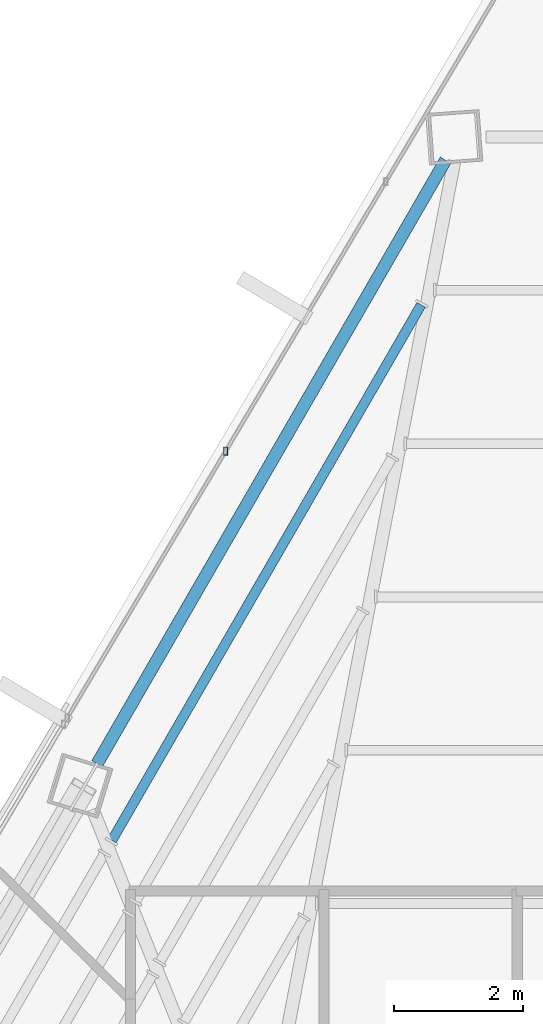
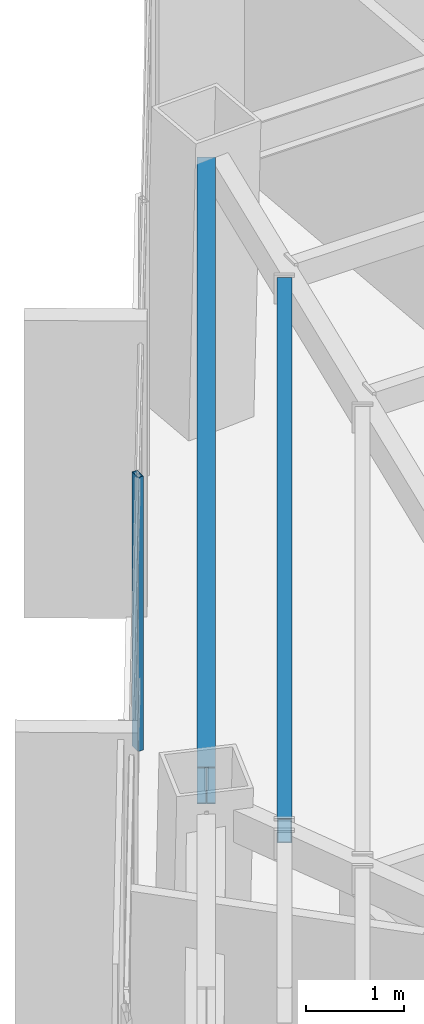
# One storey, part 31 of 49: 2 beams, 1 member, 1 element without a shape of its own.
"""IFC4 building model written with IfcOpenShell, lengths in metres."""

from ifc_helpers import new_model, si_unit, direction, frame, origin, origin_2d, place, context, subcontext, project, spatial, hollow_rectangle, i_section, extrude, source, transform, mapped, material, material_profile, profile_set, type_object, type_shapes, element, aggregate, save


model = new_model("IFC4")

# Units and contexts
model_context = context("Model", 3, precision=1e-05, world=origin(), true_north=direction((0.0, 1.0)))
body_context = subcontext(model_context, "Body", "Model", "MODEL_VIEW")
ifc_project = project(units=[si_unit("LENGTHUNIT", "METRE"), si_unit("AREAUNIT", "SQUARE_METRE"), si_unit("VOLUMEUNIT", "CUBIC_METRE"), si_unit("PLANEANGLEUNIT", "RADIAN"), si_unit("MASSUNIT", "GRAM", prefix="KILO")], contexts=[model_context])

# Site, building, storey
site_placement = place(None, origin())
site = spatial("IfcSite", under=ifc_project, at=site_placement, CompositionType="ELEMENT")
building_placement = place(site_placement, origin())
building = spatial("IfcBuilding", under=site, at=building_placement, Name="Caelisora Broadcast Tower", CompositionType="ELEMENT")
storey_placement = place(building_placement, frame((0.0, 0.0, 233.5)))
storey = spatial("IfcBuildingStorey", under=building, at=storey_placement, Name="L61", CompositionType="ELEMENT", Elevation=233.5)

# Beams
ifc_material_1 = material(Name="Steel Grade 350 (AS/NZS 3679.1)", Category="steel")
ifc_material_profile_1 = material_profile(ifc_material_1, i_section(OverallWidth=0.19091796875, OverallDepth=0.46044921875, WebThickness=0.010009765625, FlangeThickness=0.01611328125, at=origin_2d()), Name="Steel Grade 350 (AS/NZS 3679.1)")
ifc_profile_set_1 = profile_set([ifc_material_profile_1], Name="Steel Grade 350 (AS/NZS 3679.1)")
beam_type_1 = type_object("IfcBeamType", Name="PG06", PredefinedType="BEAM", material=ifc_profile_set_1)
shared_shape_1 = source(origin(), body_context, "Body", "SweptSolid", [
    extrude(i_section(OverallWidth=0.19091796875, OverallDepth=0.46044921875, WebThickness=0.010009765625, FlangeThickness=0.01611328125, at=origin_2d()), origin(), (0.0, 0.0, 1.0), 10.804443359375),
])
type_shapes(beam_type_1, [shared_shape_1])
beam_1_placement = place(storey_placement, frame((33.486083984375, 46.280517578125, 3.169921875), z_axis=(-0.499991078618, -0.866030554486, 0.0), x_axis=(0.866030554486, -0.499991078618, 0.0)))
element("IfcBeam", 1, at=beam_1_placement, inside=storey, type_object=beam_type_1, Name="L61 beam PG06", PredefinedType="BEAM", context=body_context, shape_type="MappedRepresentation", body=[
    mapped(shared_shape_1, transform((0.0, 0.0, 0.0), scale=1.0)),
])
ifc_material_2 = material(Name="Steel Grade 350 (AS/NZS 1163 C350L0)", Category="steel")
ifc_material_profile_2 = material_profile(ifc_material_2, hollow_rectangle(XDim=0.14990234375, YDim=0.300048828125, WallThickness=0.010009765625, at=origin_2d()), Name="Steel Grade 350 (AS/NZS 1163 C350L0)")
ifc_profile_set_2 = profile_set([ifc_material_profile_2], Name="Steel Grade 350 (AS/NZS 1163 C350L0)")
beam_type_2 = type_object("IfcBeamType", Name="SB05", PredefinedType="JOIST", material=ifc_profile_set_2)
shared_shape_2 = source(origin(), body_context, "Body", "SweptSolid", [
    extrude(hollow_rectangle(XDim=0.14990234375, YDim=0.300048828125, WallThickness=0.010009765625, at=origin_2d()), origin(), (0.0, 0.0, 1.0), 9.589599609375),
])
type_shapes(beam_type_2, [shared_shape_2])
beam_2_placement = place(storey_placement, frame((33.10791015625, 44.0380859375, 3.25), z_axis=(-0.500016292001, -0.866015997389, 0.0), x_axis=(0.866015997389, -0.500016292001, 0.0)))
element("IfcBeam", 2, at=beam_2_placement, inside=storey, type_object=beam_type_2, Name="L61 beam SB05", PredefinedType="JOIST", context=body_context, shape_type="MappedRepresentation", body=[
    mapped(shared_shape_2, transform((0.0, 0.0, 0.0), scale=1.0)),
])

# Curtain wall, member
ifc_material_3 = material(Name="Unitised Aluminium and Low-E Glass Curtain Wall", Category="glass")
curtain_wall_type = type_object("IfcCurtainWallType", Name="CW-Z5", PredefinedType="NOTDEFINED", material=ifc_material_3)
curtain_wall_placement = place(storey_placement, origin())
curtain_wall = element("IfcCurtainWall", 3, at=curtain_wall_placement, inside=storey, type_object=curtain_wall_type, Name="L61 curtain wall CW-Z5", PredefinedType="NOTDEFINED")
ifc_material_4 = material(Name="Aluminium 6063-T6 Anodised Terracotta Bronze", Category="aluminium")
ifc_material_profile_3 = material_profile(ifc_material_4, hollow_rectangle(XDim=0.06005859375, YDim=0.1201171875, WallThickness=0.0029296875, at=origin_2d()), Name="Aluminium 6063-T6 Anodised Terracotta Bronze")
ifc_profile_set_3 = profile_set([ifc_material_profile_3], Name="Aluminium 6063-T6 Anodised Terracotta Bronze")
member_type = type_object("IfcMemberType", Name="CWM-04", PredefinedType="MULLION", material=ifc_profile_set_3)
shared_shape_3 = source(origin(), body_context, "Body", "SweptSolid", [
    extrude(hollow_rectangle(XDim=0.06005859375, YDim=0.1201171875, WallThickness=0.0029296875, at=origin_2d()), origin(), (0.0, 0.0, 1.0), 3.39990234375),
])
type_shapes(member_type, [shared_shape_3])
member_placement = place(storey_placement, frame((30.077392578125, 41.769775390625, 0.0), z_axis=(0.0, 0.0, 1.0), x_axis=(1.0, 0.0, 0.0)))
member = element("IfcMember", 4, at=member_placement, type_object=member_type, Name="L61-CW-B11 mullion #1", PredefinedType="MULLION", context=body_context, shape_type="MappedRepresentation", body=[
    mapped(shared_shape_3, transform((0.0, 0.0, 0.0), scale=1.0)),
])
aggregate(curtain_wall, [member])

save(model, "model.ifc")
